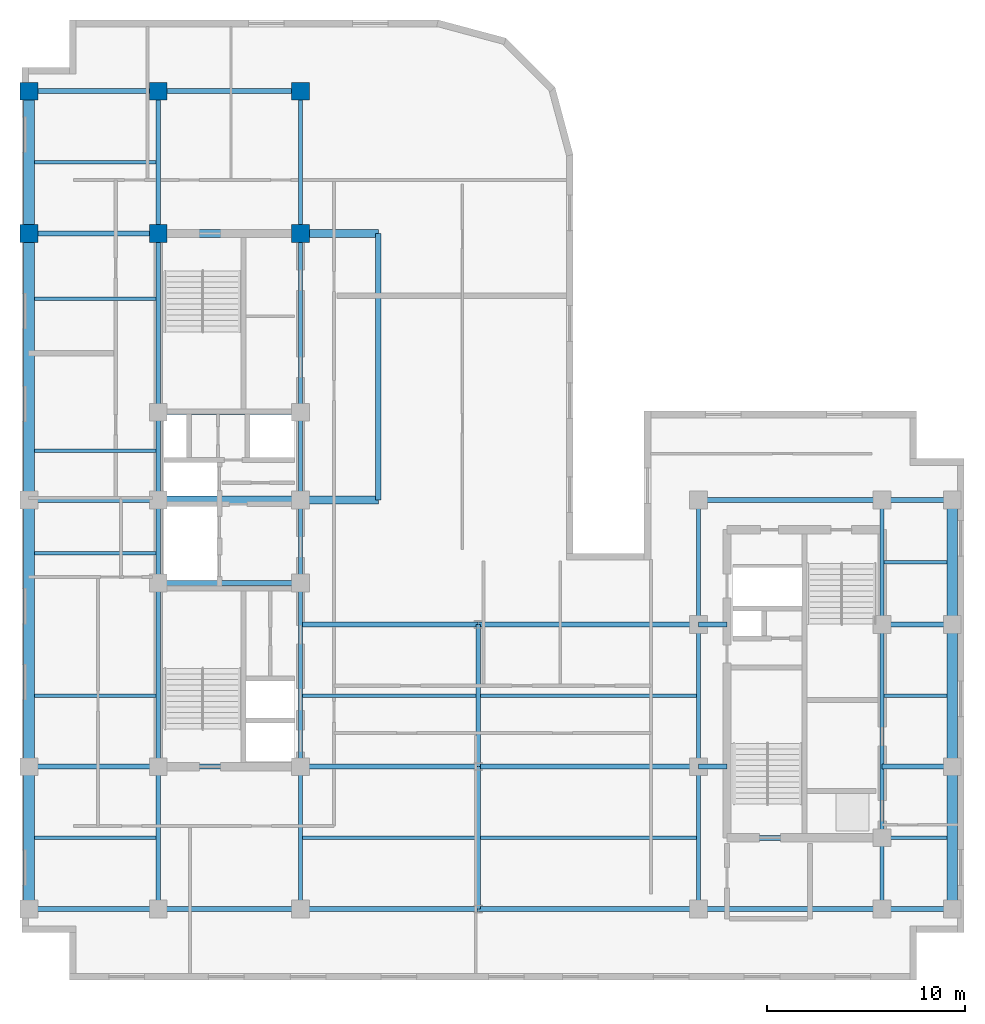
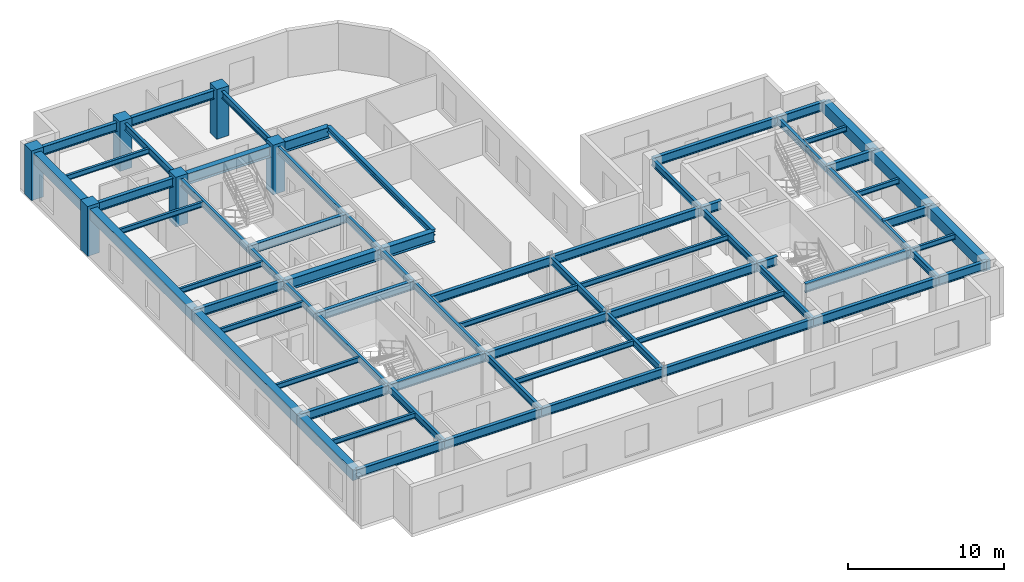
# One storey, part 2 of 11: 68 beams, 6 columns.
"""IFC4 building model written with IfcOpenShell, lengths in metres."""

import ifcopenshell
import ifcopenshell.guid

model = None  # the IFC model being written
_history = None  # IfcOwnerHistory: only IFC2X3 demands one
_inside = {}  # id of a spatial element -> (the spatial element, [elements in it])
_under = {}  # id of a project, library or spatial element -> (it, [spatial elements below it])
_declared = {}  # id of a project -> (the project, [libraries it declares])
_typed = {}  # id of a type object -> (the type object, [elements of that type])
_made_of = {}  # id of a material, layer set ... -> (it, [elements and type objects made of it])


def new_model(schema):
    """Start an empty IFC model of exactly this schema.

    Asked for "IFC4X3", IfcOpenShell would pick the latest addendum, in which some entities
    have other attributes; the version numbers below select the first issue.
    IFC2X3 requires an IfcOwnerHistory on every rooted entity: one is made here for all.
    """
    global model, _history
    if schema == "IFC4X3":
        model = ifcopenshell.file(schema_version=(4, 3, 0, 0))
    else:
        model = ifcopenshell.file(schema=schema)
    _inside.clear()
    _under.clear()
    _declared.clear()
    _typed.clear()
    _made_of.clear()
    _history = None
    if model.schema == "IFC2X3":
        org = make("IfcOrganization", Name="unknown")
        user = make(
            "IfcPersonAndOrganization",
            ThePerson=make("IfcPerson", FamilyName="unknown"),
            TheOrganization=org,
        )
        app = make(
            "IfcApplication",
            ApplicationDeveloper=org,
            Version="unknown",
            ApplicationFullName="unknown",
            ApplicationIdentifier="unknown",
        )
        _history = make(
            "IfcOwnerHistory",
            OwningUser=user,
            OwningApplication=app,
            ChangeAction="ADDED",
            CreationDate=0,
        )
    return model


def make(cls, **values):
    """One entity of the class cls with the attributes given. An attribute that is None is left unset."""
    return model.create_entity(
        cls, **{name: value for name, value in values.items() if value is not None}
    )


def entity(cls, *values):
    """Any entity or typed value of the class cls, its attributes in the order of the schema. None: left unset."""
    e = model.create_entity(cls)
    for i, value in enumerate(values):
        if value is not None:
            e[i] = value
    return e


def rooted(cls, **values):
    """An entity with a GlobalId (a new one), such as an element, a storey or a relation."""
    return make(cls, GlobalId=ifcopenshell.guid.new(), OwnerHistory=_history, **values)


def si_unit(unit_type, name, prefix=None):
    """IfcSIUnit, for example si_unit("LENGTHUNIT", "METRE", prefix="MILLI")."""
    return make("IfcSIUnit", UnitType=unit_type, Prefix=prefix, Name=name)


def converted_unit(unit_type, name, factor, base, dimensions=None, offset=None):
    """IfcConversionBasedUnit, such as the inch: factor (a typed value) times the base unit."""
    return make(
        "IfcConversionBasedUnit"
        if offset is None
        else "IfcConversionBasedUnitWithOffset",
        ConversionOffset=offset,
        Dimensions=None
        if dimensions is None
        else entity("IfcDimensionalExponents", *dimensions),
        UnitType=unit_type,
        Name=name,
        ConversionFactor=make(
            "IfcMeasureWithUnit", ValueComponent=factor, UnitComponent=base
        ),
    )


def assignment(units):
    """IfcUnitAssignment: the units of a project."""
    return None if units is None else make("IfcUnitAssignment", Units=units)


def point(xyz):
    """IfcCartesianPoint."""
    return None if xyz is None else make("IfcCartesianPoint", Coordinates=xyz)


def direction(xyz):
    """IfcDirection."""
    return None if xyz is None else make("IfcDirection", DirectionRatios=xyz)


def frame(location, z_axis=None, x_axis=None):
    """IfcAxis2Placement3D, a coordinate frame: its origin and axes. An axis left out is left unset."""
    return make(
        "IfcAxis2Placement3D",
        Location=point(location),
        Axis=direction(z_axis),
        RefDirection=direction(x_axis),
    )


def frame_2d(location, x_axis=None):
    """IfcAxis2Placement2D, a coordinate frame in the plane: its origin and x axis."""
    return make(
        "IfcAxis2Placement2D", Location=point(location), RefDirection=direction(x_axis)
    )


def origin_with_axes():
    """The frame at (0, 0, 0) with the z axis (0, 0, 1) and the x axis (1, 0, 0) written out."""
    return frame((0.0, 0.0, 0.0), z_axis=(0.0, 0.0, 1.0), x_axis=(1.0, 0.0, 0.0))


def origin_2d_with_axis():
    """The frame at (0, 0) in the plane with the x axis (1, 0) written out."""
    return frame_2d((0.0, 0.0), x_axis=(1.0, 0.0))


def place(relative_to, where):
    """IfcLocalPlacement: puts the frame where relative to a parent placement (None: the world)."""
    return make(
        "IfcLocalPlacement", PlacementRelTo=relative_to, RelativePlacement=where
    )


def context(
    kind, dimensions, precision=None, world=None, true_north=None, identifier=None
):
    """IfcGeometricRepresentationContext, for example the 3D "Model" context."""
    return make(
        "IfcGeometricRepresentationContext",
        ContextIdentifier=identifier,
        ContextType=kind,
        CoordinateSpaceDimension=dimensions,
        Precision=precision,
        WorldCoordinateSystem=world,
        TrueNorth=true_north,
    )


def subcontext(parent, identifier, kind, view, scale=None):
    """IfcGeometricRepresentationSubContext, for example "Body" below "Model"."""
    return make(
        "IfcGeometricRepresentationSubContext",
        ContextIdentifier=identifier,
        ContextType=kind,
        ParentContext=parent,
        TargetScale=scale,
        TargetView=view,
    )


def project(units=None, contexts=None):
    """IfcProject with its units and contexts."""
    return rooted(
        "IfcProject",
        Name="project",
        RepresentationContexts=contexts,
        UnitsInContext=assignment(units),
    )


def spatial(cls, under=None, at=None, **own):
    """A site, building, storey or space (cls), placed at a placement, below another one or the project."""
    s = rooted(cls, ObjectPlacement=at, **own)
    if under is not None:
        _under.setdefault(under.id(), (under, []))[1].append(s)
    return s


def profile(cls, at=None, kind="AREA", **sizes):
    """A parametric profile (cls). Its sizes go by their IFC names, for example OverallWidth=200.0."""
    return make(cls, ProfileType=kind, Position=at, **sizes)


def rectangle(**sizes):
    """IfcRectangleProfileDef."""
    return profile("IfcRectangleProfileDef", **sizes)


def i_section(**sizes):
    """IfcIShapeProfileDef."""
    return profile("IfcIShapeProfileDef", **sizes)


def extrude(swept, where, along, depth):
    """IfcExtrudedAreaSolid: the profile swept, set in the frame where, extruded along a direction by depth."""
    return make(
        "IfcExtrudedAreaSolid",
        SweptArea=swept,
        Position=where,
        ExtrudedDirection=direction(along),
        Depth=depth,
    )


def shape(context_of_items, identifier, shape_type, items):
    """IfcShapeRepresentation: the items that make up one representation, for example the "Body"."""
    return make(
        "IfcShapeRepresentation",
        ContextOfItems=context_of_items,
        RepresentationIdentifier=identifier,
        RepresentationType=shape_type,
        Items=items,
    )


def material(Name=None, Category=None):
    """IfcMaterial."""
    return make("IfcMaterial", Name=Name, Category=Category)


def material_profile(
    of_material, cross_section, Name=None, Category=None, Priority=None
):
    """IfcMaterialProfile: a cross section and its material."""
    return make(
        "IfcMaterialProfile",
        Name=Name,
        Material=of_material,
        Profile=cross_section,
        Priority=Priority,
        Category=Category,
    )


def profile_set(profiles, Name=None, composite=None):
    """IfcMaterialProfileSet."""
    return make(
        "IfcMaterialProfileSet",
        Name=Name,
        MaterialProfiles=profiles,
        CompositeProfile=composite,
    )


def made_of(thing, what):
    """Note that an element or type object is made of a material, layer set ...; save() writes the relation."""
    if what is not None:
        _made_of.setdefault(what.id(), (what, []))[1].append(thing)
    return thing


def type_object(cls, material=None, **own):
    """A type object (cls), such as IfcWallType, which elements share."""
    return made_of(rooted(cls, **own), material)


def element(
    cls,
    number,
    at=None,
    inside=None,
    cuts=None,
    type_object=None,
    material=None,
    context=None,
    identifier="Body",
    shape_type=None,
    held_by="IfcProductDefinitionShape",
    body=None,
    shapes=None,
    **own,
):
    """One element of the class cls, such as IfcWall. Its Tag is "e" and its number.

    at: its placement. inside: the storey or other place that contains it. cuts: it is an
    opening in that element (IfcRelVoidsElement). A single representation is given by context,
    identifier, shape_type and body (its items); several are given by shapes. held_by: the class
    of the entity that holds the representations. save() writes the other relations.
    """
    e = rooted(cls, Tag="e%d" % number, ObjectPlacement=at, **own)
    if body is not None:
        shapes = [shape(context, identifier, shape_type, body)]
    if shapes is not None:
        e.Representation = make(held_by, Representations=shapes)
    if inside is not None:
        _inside.setdefault(inside.id(), (inside, []))[1].append(e)
    if cuts is not None:
        rooted(
            "IfcRelVoidsElement", RelatingBuildingElement=cuts, RelatedOpeningElement=e
        )
    if type_object is not None:
        _typed.setdefault(type_object.id(), (type_object, []))[1].append(e)
    return made_of(e, material)


def aggregate(whole, parts):
    """IfcRelAggregates: a whole, such as a stair, and the parts it consists of."""
    return rooted("IfcRelAggregates", RelatingObject=whole, RelatedObjects=parts)


def save(model, path):
    """Write the relations noted so far, then the file.

    IfcRelAggregates (storeys below a building ...), IfcRelContainedInSpatialStructure (elements
    in a storey), IfcRelDefinesByType, IfcRelAssociatesMaterial and IfcRelDeclares: one each for
    every whole, place, type object, material and project.
    """
    for whole, parts in _under.values():
        aggregate(whole, parts)
    for where, things in _inside.values():
        rooted(
            "IfcRelContainedInSpatialStructure",
            RelatedElements=things,
            RelatingStructure=where,
        )
    for kind, things in _typed.values():
        rooted("IfcRelDefinesByType", RelatedObjects=things, RelatingType=kind)
    for what, things in _made_of.values():
        rooted("IfcRelAssociatesMaterial", RelatedObjects=things, RelatingMaterial=what)
    for by, libraries in _declared.values():
        rooted("IfcRelDeclares", RelatingContext=by, RelatedDefinitions=libraries)
    model.write(path)


model = new_model("IFC4")

# Units and contexts
model_context = context("Model", 3, precision=1e-05, world=origin_with_axes(), true_north=direction((0.0, 1.0)))
body_context = subcontext(model_context, "Body", "Model", "MODEL_VIEW")
ifc_project = project(units=[si_unit("LENGTHUNIT", "METRE"), si_unit("AREAUNIT", "SQUARE_METRE"), si_unit("VOLUMEUNIT", "CUBIC_METRE"), converted_unit("PLANEANGLEUNIT", "DEGREE", entity("IfcPlaneAngleMeasure", 0.017453292519943295), si_unit("PLANEANGLEUNIT", "RADIAN"), dimensions=[0, 0, 0, 0, 0, 0, 0]), si_unit("MASSUNIT", "GRAM", prefix="KILO"), si_unit("THERMODYNAMICTEMPERATUREUNIT", "KELVIN")], contexts=[model_context])

# Site, building, storey
site_placement = place(None, origin_with_axes())
site = spatial("IfcSite", under=ifc_project, at=site_placement, CompositionType="ELEMENT")
building_placement = place(site_placement, origin_with_axes())
building = spatial("IfcBuilding", under=site, at=building_placement, Name="Varnlund Millrace Tower", CompositionType="ELEMENT")
storey_placement = place(building_placement, frame((0.0, 0.0, 224.7), z_axis=(0.0, 0.0, 1.0), x_axis=(1.0, 0.0, 0.0)))
storey = spatial("IfcBuildingStorey", under=building, at=storey_placement, Name="L55", CompositionType="ELEMENT", Elevation=224.7)

# Columns
ifc_material_1 = material(Name="Concrete C70/85", Category="concrete")
ifc_material_profile_1 = material_profile(ifc_material_1, rectangle(XDim=0.9, YDim=0.9, at=origin_2d_with_axis()), Name="Concrete C70/85")
ifc_profile_set_1 = profile_set([ifc_material_profile_1], Name="Concrete C70/85")
column_type = type_object("IfcColumnType", Name="Type-Col-RC900-C70", PredefinedType="COLUMN", material=ifc_profile_set_1)
for number, where, z_axis, x_axis, name in (
    (1, (11.4, 37.8, 0.0), (0.0, 0.0, 1.0), (1.0, 0.0, 0.0), "Type-Col-RC900-C70"),
    (2, (11.4, 45.0, 0.0), (0.0, 0.0, 1.0), (1.0, 0.0, 0.0), "Type-Col-RC900-C70"),
    (3, (18.6, 37.8, 0.0), (0.0, 0.0, 1.0), (1.0, 0.0, 0.0), "Type-Col-RC900-C70"),
    (4, (18.6, 45.0, 0.0), (0.0, 0.0, 1.0), (1.0, 0.0, 0.0), "Type-Col-RC900-C70"),
    (5, (4.85, 37.8, 0.0), (0.0, 0.0, 1.0), (1.0, 0.0, 0.0), "Type-Col-RC900-C70"),
    (6, (4.85, 45.0, 0.0), (0.0, 0.0, 1.0), (1.0, 0.0, 0.0), "Type-Col-RC900-C70"),
):
    element("IfcColumn", number, at=place(storey_placement, frame(where, z_axis=z_axis, x_axis=x_axis)), inside=storey, type_object=column_type, Name=name, PredefinedType="COLUMN", context=body_context, shape_type="SweptSolid", body=[
        extrude(rectangle(XDim=0.9, YDim=0.9, at=origin_2d_with_axis()), origin_with_axes(), (0.0, 0.0, 1.0), 3.9),
    ])

# Beams
ifc_material_2 = material(Name="Steel ASTM A992 Grade 50", Category="steel")
ifc_material_profile_2 = material_profile(ifc_material_2, i_section(OverallWidth=0.28, OverallDepth=0.463, WebThickness=0.0108, FlangeThickness=0.0173, FilletRadius=0.015, at=origin_2d_with_axis()), Name="Steel ASTM A992 Grade 50")
ifc_profile_set_2 = profile_set([ifc_material_profile_2], Name="Steel ASTM A992 Grade 50")
beam_type_1 = type_object("IfcBeamType", Name="Type-Beam-W18X76", PredefinedType="BEAM", material=ifc_profile_set_2)
beam_1_placement = place(storey_placement, frame((22.55, 24.3, 3.4285), z_axis=(0.0, 1.0, 0.0), x_axis=(-1.0, 0.0, 0.0)))
element("IfcBeam", 7, at=beam_1_placement, inside=storey, type_object=beam_type_1, Name="Type-Beam-W18X76", PredefinedType="BEAM", context=body_context, shape_type="SweptSolid", body=[
    extrude(i_section(OverallWidth=0.28, OverallDepth=0.463, WebThickness=0.0108, FlangeThickness=0.0173, FilletRadius=0.015, at=origin_2d_with_axis()), origin_with_axes(), (0.0, 0.0, 1.0), 13.5),
])
ifc_material_profile_3 = material_profile(ifc_material_2, i_section(OverallWidth=0.214, OverallDepth=0.549, WebThickness=0.0147, FlangeThickness=0.0236, FilletRadius=0.015, at=origin_2d_with_axis()), Name="Steel ASTM A992 Grade 50")
ifc_profile_set_3 = profile_set([ifc_material_profile_3], Name="Steel ASTM A992 Grade 50")
beam_type_2 = type_object("IfcBeamType", Name="Type-Beam-W21X93", PredefinedType="BEAM", material=ifc_profile_set_3)
beam_2_placement = place(storey_placement, frame((11.4, 3.6, 3.3855), z_axis=(0.0, 1.0, 0.0), x_axis=(-1.0, 0.0, 0.0)))
element("IfcBeam", 8, at=beam_2_placement, inside=storey, type_object=beam_type_2, Name="Type-Beam-W21X93", PredefinedType="BEAM", context=body_context, shape_type="SweptSolid", body=[
    extrude(i_section(OverallWidth=0.214, OverallDepth=0.549, WebThickness=0.0147, FlangeThickness=0.0236, FilletRadius=0.015, at=origin_2d_with_axis()), origin_with_axes(), (0.0, 0.0, 1.0), 7.2),
])
beam_3_placement = place(storey_placement, frame((11.4, 10.8, 3.3855), z_axis=(0.0, 1.0, 0.0), x_axis=(-1.0, 0.0, 0.0)))
element("IfcBeam", 9, at=beam_3_placement, inside=storey, type_object=beam_type_2, Name="Type-Beam-W21X93", PredefinedType="BEAM", context=body_context, shape_type="SweptSolid", body=[
    extrude(i_section(OverallWidth=0.214, OverallDepth=0.549, WebThickness=0.0147, FlangeThickness=0.0236, FilletRadius=0.015, at=origin_2d_with_axis()), origin_with_axes(), (0.0, 0.0, 1.0), 9.3),
])
beam_4_placement = place(storey_placement, frame((11.4, 20.1, 3.3855), z_axis=(0.0, 1.0, 0.0), x_axis=(-1.0, 0.0, 0.0)))
element("IfcBeam", 10, at=beam_4_placement, inside=storey, type_object=beam_type_2, Name="Type-Beam-W21X93", PredefinedType="BEAM", context=body_context, shape_type="SweptSolid", body=[
    extrude(i_section(OverallWidth=0.214, OverallDepth=0.549, WebThickness=0.0147, FlangeThickness=0.0236, FilletRadius=0.015, at=origin_2d_with_axis()), origin_with_axes(), (0.0, 0.0, 1.0), 4.2),
])
beam_5_placement = place(storey_placement, frame((11.4, 24.3, 3.3855), z_axis=(0.0, 1.0, 0.0), x_axis=(-1.0, 0.0, 0.0)))
element("IfcBeam", 11, at=beam_5_placement, inside=storey, type_object=beam_type_2, Name="Type-Beam-W21X93", PredefinedType="BEAM", context=body_context, shape_type="SweptSolid", body=[
    extrude(i_section(OverallWidth=0.214, OverallDepth=0.549, WebThickness=0.0147, FlangeThickness=0.0236, FilletRadius=0.015, at=origin_2d_with_axis()), origin_with_axes(), (0.0, 0.0, 1.0), 4.45),
])
beam_6_placement = place(storey_placement, frame((11.4, 28.75, 3.3855), z_axis=(0.0, 1.0, 0.0), x_axis=(-1.0, 0.0, 0.0)))
element("IfcBeam", 12, at=beam_6_placement, inside=storey, type_object=beam_type_2, Name="Type-Beam-W21X93", PredefinedType="BEAM", context=body_context, shape_type="SweptSolid", body=[
    extrude(i_section(OverallWidth=0.214, OverallDepth=0.549, WebThickness=0.0147, FlangeThickness=0.0236, FilletRadius=0.015, at=origin_2d_with_axis()), origin_with_axes(), (0.0, 0.0, 1.0), 9.05),
])
for number, where, z_axis, x_axis, name in (
    (13, (11.4, 37.8, 3.3855), (0.0, 1.0, 0.0), (-1.0, 0.0, 0.0), "Type-Beam-W21X93"),
    (14, (18.6, 3.6, 3.3855), (0.0, 1.0, 0.0), (-1.0, 0.0, 0.0), "Type-Beam-W21X93"),
):
    element("IfcBeam", number, at=place(storey_placement, frame(where, z_axis=z_axis, x_axis=x_axis)), inside=storey, type_object=beam_type_2, Name=name, PredefinedType="BEAM", context=body_context, shape_type="SweptSolid", body=[
        extrude(i_section(OverallWidth=0.214, OverallDepth=0.549, WebThickness=0.0147, FlangeThickness=0.0236, FilletRadius=0.015, at=origin_2d_with_axis()), origin_with_axes(), (0.0, 0.0, 1.0), 7.2),
    ])
beam_7_placement = place(storey_placement, frame((18.6, 10.8, 3.3855), z_axis=(0.0, 1.0, 0.0), x_axis=(-1.0, 0.0, 0.0)))
element("IfcBeam", 15, at=beam_7_placement, inside=storey, type_object=beam_type_2, Name="Type-Beam-W21X93", PredefinedType="BEAM", context=body_context, shape_type="SweptSolid", body=[
    extrude(i_section(OverallWidth=0.214, OverallDepth=0.549, WebThickness=0.0147, FlangeThickness=0.0236, FilletRadius=0.015, at=origin_2d_with_axis()), origin_with_axes(), (0.0, 0.0, 1.0), 9.3),
])
beam_8_placement = place(storey_placement, frame((18.6, 20.1, 3.3855), z_axis=(0.0, 1.0, 0.0), x_axis=(-1.0, 0.0, 0.0)))
element("IfcBeam", 16, at=beam_8_placement, inside=storey, type_object=beam_type_2, Name="Type-Beam-W21X93", PredefinedType="BEAM", context=body_context, shape_type="SweptSolid", body=[
    extrude(i_section(OverallWidth=0.214, OverallDepth=0.549, WebThickness=0.0147, FlangeThickness=0.0236, FilletRadius=0.015, at=origin_2d_with_axis()), origin_with_axes(), (0.0, 0.0, 1.0), 4.2),
])
beam_9_placement = place(storey_placement, frame((18.6, 24.3, 3.3855), z_axis=(0.0, 1.0, 0.0), x_axis=(-1.0, 0.0, 0.0)))
element("IfcBeam", 17, at=beam_9_placement, inside=storey, type_object=beam_type_2, Name="Type-Beam-W21X93", PredefinedType="BEAM", context=body_context, shape_type="SweptSolid", body=[
    extrude(i_section(OverallWidth=0.214, OverallDepth=0.549, WebThickness=0.0147, FlangeThickness=0.0236, FilletRadius=0.015, at=origin_2d_with_axis()), origin_with_axes(), (0.0, 0.0, 1.0), 4.45),
])
beam_10_placement = place(storey_placement, frame((18.6, 28.75, 3.3855), z_axis=(0.0, 1.0, 0.0), x_axis=(-1.0, 0.0, 0.0)))
element("IfcBeam", 18, at=beam_10_placement, inside=storey, type_object=beam_type_2, Name="Type-Beam-W21X93", PredefinedType="BEAM", context=body_context, shape_type="SweptSolid", body=[
    extrude(i_section(OverallWidth=0.214, OverallDepth=0.549, WebThickness=0.0147, FlangeThickness=0.0236, FilletRadius=0.015, at=origin_2d_with_axis()), origin_with_axes(), (0.0, 0.0, 1.0), 9.05),
])
for number, where, z_axis, x_axis, name in (
    (19, (18.6, 37.8, 3.3855), (0.0, 1.0, 0.0), (-1.0, 0.0, 0.0), "Type-Beam-W21X93"),
    (20, (27.6, 3.6, 3.3855), (0.0, 1.0, 0.0), (-1.0, 0.0, 0.0), "Type-Beam-W21X93"),
    (21, (27.6, 10.8, 3.3855), (0.0, 1.0, 0.0), (-1.0, 0.0, 0.0), "Type-Beam-W21X93"),
    (22, (38.75, 3.6, 3.3855), (0.0, 1.0, 0.0), (-1.0, 0.0, 0.0), "Type-Beam-W21X93"),
    (23, (38.75, 10.8, 3.3855), (0.0, 1.0, 0.0), (-1.0, 0.0, 0.0), "Type-Beam-W21X93"),
):
    element("IfcBeam", number, at=place(storey_placement, frame(where, z_axis=z_axis, x_axis=x_axis)), inside=storey, type_object=beam_type_2, Name=name, PredefinedType="BEAM", context=body_context, shape_type="SweptSolid", body=[
        extrude(i_section(OverallWidth=0.214, OverallDepth=0.549, WebThickness=0.0147, FlangeThickness=0.0236, FilletRadius=0.015, at=origin_2d_with_axis()), origin_with_axes(), (0.0, 0.0, 1.0), 7.2),
    ])
beam_11_placement = place(storey_placement, frame((38.75, 18.0, 3.3855), z_axis=(0.0, 1.0, 0.0), x_axis=(-1.0, 0.0, 0.0)))
element("IfcBeam", 24, at=beam_11_placement, inside=storey, type_object=beam_type_2, Name="Type-Beam-W21X93", PredefinedType="BEAM", context=body_context, shape_type="SweptSolid", body=[
    extrude(i_section(OverallWidth=0.214, OverallDepth=0.549, WebThickness=0.0147, FlangeThickness=0.0236, FilletRadius=0.015, at=origin_2d_with_axis()), origin_with_axes(), (0.0, 0.0, 1.0), 6.3),
])
beam_12_placement = place(storey_placement, frame((48.05, 3.6, 3.3855), z_axis=(0.0, 1.0, 0.0), x_axis=(-1.0, 0.0, 0.0)))
element("IfcBeam", 25, at=beam_12_placement, inside=storey, type_object=beam_type_2, Name="Type-Beam-W21X93", PredefinedType="BEAM", context=body_context, shape_type="SweptSolid", body=[
    extrude(i_section(OverallWidth=0.214, OverallDepth=0.549, WebThickness=0.0147, FlangeThickness=0.0236, FilletRadius=0.015, at=origin_2d_with_axis()), origin_with_axes(), (0.0, 0.0, 1.0), 3.6),
])
beam_13_placement = place(storey_placement, frame((48.05, 7.2, 3.3855), z_axis=(0.0, 1.0, 0.0), x_axis=(-1.0, 0.0, 0.0)))
element("IfcBeam", 26, at=beam_13_placement, inside=storey, type_object=beam_type_2, Name="Type-Beam-W21X93", PredefinedType="BEAM", context=body_context, shape_type="SweptSolid", body=[
    extrude(i_section(OverallWidth=0.214, OverallDepth=0.549, WebThickness=0.0147, FlangeThickness=0.0236, FilletRadius=0.015, at=origin_2d_with_axis()), origin_with_axes(), (0.0, 0.0, 1.0), 10.8),
])
beam_14_placement = place(storey_placement, frame((48.05, 18.0, 3.3855), z_axis=(0.0, 1.0, 0.0), x_axis=(-1.0, 0.0, 0.0)))
element("IfcBeam", 27, at=beam_14_placement, inside=storey, type_object=beam_type_2, Name="Type-Beam-W21X93", PredefinedType="BEAM", context=body_context, shape_type="SweptSolid", body=[
    extrude(i_section(OverallWidth=0.214, OverallDepth=0.549, WebThickness=0.0147, FlangeThickness=0.0236, FilletRadius=0.015, at=origin_2d_with_axis()), origin_with_axes(), (0.0, 0.0, 1.0), 6.3),
])
ifc_material_profile_4 = material_profile(ifc_material_2, i_section(OverallWidth=0.256, OverallDepth=0.693, WebThickness=0.0145, FlangeThickness=0.0236, FilletRadius=0.018, at=origin_2d_with_axis()), Name="Steel ASTM A992 Grade 50")
ifc_profile_set_4 = profile_set([ifc_material_profile_4], Name="Steel ASTM A992 Grade 50")
beam_type_3 = type_object("IfcBeamType", Name="Type-Girder-W27X114", PredefinedType="USERDEFINED", material=ifc_profile_set_4)
beam_15_placement = place(storey_placement, frame((4.85, 3.6, 3.3135), z_axis=(1.0, 0.0, 0.0), x_axis=(0.0, 1.0, 0.0)))
element("IfcBeam", 28, at=beam_15_placement, inside=storey, type_object=beam_type_3, Name="Type-Girder-W27X114", ObjectType="GIRDER", PredefinedType="USERDEFINED", context=body_context, shape_type="SweptSolid", body=[
    extrude(i_section(OverallWidth=0.256, OverallDepth=0.693, WebThickness=0.0145, FlangeThickness=0.0236, FilletRadius=0.018, at=origin_2d_with_axis()), origin_with_axes(), (0.0, 0.0, 1.0), 6.55),
])
beam_16_placement = place(storey_placement, frame((11.4, 3.6, 3.3135), z_axis=(1.0, 0.0, 0.0), x_axis=(0.0, 1.0, 0.0)))
element("IfcBeam", 29, at=beam_16_placement, inside=storey, type_object=beam_type_3, Name="Type-Girder-W27X114", ObjectType="GIRDER", PredefinedType="USERDEFINED", context=body_context, shape_type="SweptSolid", body=[
    extrude(i_section(OverallWidth=0.256, OverallDepth=0.693, WebThickness=0.0145, FlangeThickness=0.0236, FilletRadius=0.018, at=origin_2d_with_axis()), origin_with_axes(), (0.0, 0.0, 1.0), 7.2),
])
beam_17_placement = place(storey_placement, frame((18.6, 3.6, 3.3135), z_axis=(1.0, 0.0, 0.0), x_axis=(0.0, 1.0, 0.0)))
element("IfcBeam", 30, at=beam_17_placement, inside=storey, type_object=beam_type_3, Name="Type-Girder-W27X114", ObjectType="GIRDER", PredefinedType="USERDEFINED", context=body_context, shape_type="SweptSolid", body=[
    extrude(i_section(OverallWidth=0.256, OverallDepth=0.693, WebThickness=0.0145, FlangeThickness=0.0236, FilletRadius=0.018, at=origin_2d_with_axis()), origin_with_axes(), (0.0, 0.0, 1.0), 9.0),
])
beam_18_placement = place(storey_placement, frame((27.6, 3.6, 3.3135), z_axis=(1.0, 0.0, 0.0), x_axis=(0.0, 1.0, 0.0)))
element("IfcBeam", 31, at=beam_18_placement, inside=storey, type_object=beam_type_3, Name="Type-Girder-W27X114", ObjectType="GIRDER", PredefinedType="USERDEFINED", context=body_context, shape_type="SweptSolid", body=[
    extrude(i_section(OverallWidth=0.256, OverallDepth=0.693, WebThickness=0.0145, FlangeThickness=0.0236, FilletRadius=0.018, at=origin_2d_with_axis()), origin_with_axes(), (0.0, 0.0, 1.0), 11.15),
])
beam_19_placement = place(storey_placement, frame((38.75, 3.6, 3.3135), z_axis=(1.0, 0.0, 0.0), x_axis=(0.0, 1.0, 0.0)))
element("IfcBeam", 32, at=beam_19_placement, inside=storey, type_object=beam_type_3, Name="Type-Girder-W27X114", ObjectType="GIRDER", PredefinedType="USERDEFINED", context=body_context, shape_type="SweptSolid", body=[
    extrude(i_section(OverallWidth=0.256, OverallDepth=0.693, WebThickness=0.0145, FlangeThickness=0.0236, FilletRadius=0.018, at=origin_2d_with_axis()), origin_with_axes(), (0.0, 0.0, 1.0), 9.3),
])
beam_20_placement = place(storey_placement, frame((48.05, 3.6, 3.3135), z_axis=(1.0, 0.0, 0.0), x_axis=(0.0, 1.0, 0.0)))
element("IfcBeam", 33, at=beam_20_placement, inside=storey, type_object=beam_type_3, Name="Type-Girder-W27X114", ObjectType="GIRDER", PredefinedType="USERDEFINED", context=body_context, shape_type="SweptSolid", body=[
    extrude(i_section(OverallWidth=0.256, OverallDepth=0.693, WebThickness=0.0145, FlangeThickness=0.0236, FilletRadius=0.018, at=origin_2d_with_axis()), origin_with_axes(), (0.0, 0.0, 1.0), 3.55),
])
beam_21_placement = place(storey_placement, frame((40.2, 7.2, 3.3135), z_axis=(1.0, 0.0, 0.0), x_axis=(0.0, 1.0, 0.0)))
element("IfcBeam", 34, at=beam_21_placement, inside=storey, type_object=beam_type_3, Name="Type-Girder-W27X114", ObjectType="GIRDER", PredefinedType="USERDEFINED", context=body_context, shape_type="SweptSolid", body=[
    extrude(i_section(OverallWidth=0.256, OverallDepth=0.693, WebThickness=0.0145, FlangeThickness=0.0236, FilletRadius=0.018, at=origin_2d_with_axis()), origin_with_axes(), (0.0, 0.0, 1.0), 7.85),
])
beam_22_placement = place(storey_placement, frame((4.85, 10.8, 3.3135), z_axis=(1.0, 0.0, 0.0), x_axis=(0.0, 1.0, 0.0)))
element("IfcBeam", 35, at=beam_22_placement, inside=storey, type_object=beam_type_3, Name="Type-Girder-W27X114", ObjectType="GIRDER", PredefinedType="USERDEFINED", context=body_context, shape_type="SweptSolid", body=[
    extrude(i_section(OverallWidth=0.256, OverallDepth=0.693, WebThickness=0.0145, FlangeThickness=0.0236, FilletRadius=0.018, at=origin_2d_with_axis()), origin_with_axes(), (0.0, 0.0, 1.0), 6.55),
])
beam_23_placement = place(storey_placement, frame((11.4, 10.8, 3.3135), z_axis=(1.0, 0.0, 0.0), x_axis=(0.0, 1.0, 0.0)))
element("IfcBeam", 36, at=beam_23_placement, inside=storey, type_object=beam_type_3, Name="Type-Girder-W27X114", ObjectType="GIRDER", PredefinedType="USERDEFINED", context=body_context, shape_type="SweptSolid", body=[
    extrude(i_section(OverallWidth=0.256, OverallDepth=0.693, WebThickness=0.0145, FlangeThickness=0.0236, FilletRadius=0.018, at=origin_2d_with_axis()), origin_with_axes(), (0.0, 0.0, 1.0), 7.2),
])
beam_24_placement = place(storey_placement, frame((18.6, 10.8, 3.3135), z_axis=(1.0, 0.0, 0.0), x_axis=(0.0, 1.0, 0.0)))
element("IfcBeam", 37, at=beam_24_placement, inside=storey, type_object=beam_type_3, Name="Type-Girder-W27X114", ObjectType="GIRDER", PredefinedType="USERDEFINED", context=body_context, shape_type="SweptSolid", body=[
    extrude(i_section(OverallWidth=0.256, OverallDepth=0.693, WebThickness=0.0145, FlangeThickness=0.0236, FilletRadius=0.018, at=origin_2d_with_axis()), origin_with_axes(), (0.0, 0.0, 1.0), 9.0),
])
beam_25_placement = place(storey_placement, frame((27.6, 10.8, 3.3135), z_axis=(1.0, 0.0, 0.0), x_axis=(0.0, 1.0, 0.0)))
element("IfcBeam", 38, at=beam_25_placement, inside=storey, type_object=beam_type_3, Name="Type-Girder-W27X114", ObjectType="GIRDER", PredefinedType="USERDEFINED", context=body_context, shape_type="SweptSolid", body=[
    extrude(i_section(OverallWidth=0.256, OverallDepth=0.693, WebThickness=0.0145, FlangeThickness=0.0236, FilletRadius=0.018, at=origin_2d_with_axis()), origin_with_axes(), (0.0, 0.0, 1.0), 11.15),
])
beam_26_placement = place(storey_placement, frame((38.75, 10.8, 3.3135), z_axis=(1.0, 0.0, 0.0), x_axis=(0.0, 1.0, 0.0)))
element("IfcBeam", 39, at=beam_26_placement, inside=storey, type_object=beam_type_3, Name="Type-Girder-W27X114", ObjectType="GIRDER", PredefinedType="USERDEFINED", context=body_context, shape_type="SweptSolid", body=[
    extrude(i_section(OverallWidth=0.256, OverallDepth=0.693, WebThickness=0.0145, FlangeThickness=0.0236, FilletRadius=0.018, at=origin_2d_with_axis()), origin_with_axes(), (0.0, 0.0, 1.0), 1.45),
])
beam_27_placement = place(storey_placement, frame((48.05, 10.8, 3.3135), z_axis=(1.0, 0.0, 0.0), x_axis=(0.0, 1.0, 0.0)))
element("IfcBeam", 40, at=beam_27_placement, inside=storey, type_object=beam_type_3, Name="Type-Girder-W27X114", ObjectType="GIRDER", PredefinedType="USERDEFINED", context=body_context, shape_type="SweptSolid", body=[
    extrude(i_section(OverallWidth=0.256, OverallDepth=0.693, WebThickness=0.0145, FlangeThickness=0.0236, FilletRadius=0.018, at=origin_2d_with_axis()), origin_with_axes(), (0.0, 0.0, 1.0), 3.55),
])
beam_28_placement = place(storey_placement, frame((18.6, 18.0, 3.3135), z_axis=(1.0, 0.0, 0.0), x_axis=(0.0, 1.0, 0.0)))
element("IfcBeam", 41, at=beam_28_placement, inside=storey, type_object=beam_type_3, Name="Type-Girder-W27X114", ObjectType="GIRDER", PredefinedType="USERDEFINED", context=body_context, shape_type="SweptSolid", body=[
    extrude(i_section(OverallWidth=0.256, OverallDepth=0.693, WebThickness=0.0145, FlangeThickness=0.0236, FilletRadius=0.018, at=origin_2d_with_axis()), origin_with_axes(), (0.0, 0.0, 1.0), 9.0),
])
beam_29_placement = place(storey_placement, frame((27.6, 18.0, 3.3135), z_axis=(1.0, 0.0, 0.0), x_axis=(0.0, 1.0, 0.0)))
element("IfcBeam", 42, at=beam_29_placement, inside=storey, type_object=beam_type_3, Name="Type-Girder-W27X114", ObjectType="GIRDER", PredefinedType="USERDEFINED", context=body_context, shape_type="SweptSolid", body=[
    extrude(i_section(OverallWidth=0.256, OverallDepth=0.693, WebThickness=0.0145, FlangeThickness=0.0236, FilletRadius=0.018, at=origin_2d_with_axis()), origin_with_axes(), (0.0, 0.0, 1.0), 11.15),
])
beam_30_placement = place(storey_placement, frame((38.75, 18.0, 3.3135), z_axis=(1.0, 0.0, 0.0), x_axis=(0.0, 1.0, 0.0)))
element("IfcBeam", 43, at=beam_30_placement, inside=storey, type_object=beam_type_3, Name="Type-Girder-W27X114", ObjectType="GIRDER", PredefinedType="USERDEFINED", context=body_context, shape_type="SweptSolid", body=[
    extrude(i_section(OverallWidth=0.256, OverallDepth=0.693, WebThickness=0.0145, FlangeThickness=0.0236, FilletRadius=0.018, at=origin_2d_with_axis()), origin_with_axes(), (0.0, 0.0, 1.0), 1.45),
])
beam_31_placement = place(storey_placement, frame((48.05, 18.0, 3.3135), z_axis=(1.0, 0.0, 0.0), x_axis=(0.0, 1.0, 0.0)))
element("IfcBeam", 44, at=beam_31_placement, inside=storey, type_object=beam_type_3, Name="Type-Girder-W27X114", ObjectType="GIRDER", PredefinedType="USERDEFINED", context=body_context, shape_type="SweptSolid", body=[
    extrude(i_section(OverallWidth=0.256, OverallDepth=0.693, WebThickness=0.0145, FlangeThickness=0.0236, FilletRadius=0.018, at=origin_2d_with_axis()), origin_with_axes(), (0.0, 0.0, 1.0), 3.55),
])
beam_32_placement = place(storey_placement, frame((11.4, 20.1, 3.3135), z_axis=(1.0, 0.0, 0.0), x_axis=(0.0, 1.0, 0.0)))
element("IfcBeam", 45, at=beam_32_placement, inside=storey, type_object=beam_type_3, Name="Type-Girder-W27X114", ObjectType="GIRDER", PredefinedType="USERDEFINED", context=body_context, shape_type="SweptSolid", body=[
    extrude(i_section(OverallWidth=0.256, OverallDepth=0.693, WebThickness=0.0145, FlangeThickness=0.0236, FilletRadius=0.018, at=origin_2d_with_axis()), origin_with_axes(), (0.0, 0.0, 1.0), 7.2),
])
beam_33_placement = place(storey_placement, frame((4.85, 24.3, 3.3135), z_axis=(1.0, 0.0, 0.0), x_axis=(0.0, 1.0, 0.0)))
element("IfcBeam", 46, at=beam_33_placement, inside=storey, type_object=beam_type_3, Name="Type-Girder-W27X114", ObjectType="GIRDER", PredefinedType="USERDEFINED", context=body_context, shape_type="SweptSolid", body=[
    extrude(i_section(OverallWidth=0.256, OverallDepth=0.693, WebThickness=0.0145, FlangeThickness=0.0236, FilletRadius=0.018, at=origin_2d_with_axis()), origin_with_axes(), (0.0, 0.0, 1.0), 6.55),
])
beam_34_placement = place(storey_placement, frame((38.75, 24.3, 3.3135), z_axis=(1.0, 0.0, 0.0), x_axis=(0.0, 1.0, 0.0)))
element("IfcBeam", 47, at=beam_34_placement, inside=storey, type_object=beam_type_3, Name="Type-Girder-W27X114", ObjectType="GIRDER", PredefinedType="USERDEFINED", context=body_context, shape_type="SweptSolid", body=[
    extrude(i_section(OverallWidth=0.256, OverallDepth=0.693, WebThickness=0.0145, FlangeThickness=0.0236, FilletRadius=0.018, at=origin_2d_with_axis()), origin_with_axes(), (0.0, 0.0, 1.0), 9.3),
])
beam_35_placement = place(storey_placement, frame((48.05, 24.3, 3.3135), z_axis=(1.0, 0.0, 0.0), x_axis=(0.0, 1.0, 0.0)))
element("IfcBeam", 48, at=beam_35_placement, inside=storey, type_object=beam_type_3, Name="Type-Girder-W27X114", ObjectType="GIRDER", PredefinedType="USERDEFINED", context=body_context, shape_type="SweptSolid", body=[
    extrude(i_section(OverallWidth=0.256, OverallDepth=0.693, WebThickness=0.0145, FlangeThickness=0.0236, FilletRadius=0.018, at=origin_2d_with_axis()), origin_with_axes(), (0.0, 0.0, 1.0), 3.55),
])
beam_36_placement = place(storey_placement, frame((11.4, 28.75, 3.3135), z_axis=(1.0, 0.0, 0.0), x_axis=(0.0, 1.0, 0.0)))
element("IfcBeam", 49, at=beam_36_placement, inside=storey, type_object=beam_type_3, Name="Type-Girder-W27X114", ObjectType="GIRDER", PredefinedType="USERDEFINED", context=body_context, shape_type="SweptSolid", body=[
    extrude(i_section(OverallWidth=0.256, OverallDepth=0.693, WebThickness=0.0145, FlangeThickness=0.0236, FilletRadius=0.018, at=origin_2d_with_axis()), origin_with_axes(), (0.0, 0.0, 1.0), 7.2),
])
for number, where, z_axis, x_axis, name in (
    (50, (4.85, 37.8, 3.3135), (1.0, 0.0, 0.0), (0.0, 1.0, 0.0), "Type-Girder-W27X114"),
    (51, (4.85, 45.0, 3.3135), (1.0, 0.0, 0.0), (0.0, 1.0, 0.0), "Type-Girder-W27X114"),
):
    element("IfcBeam", number, at=place(storey_placement, frame(where, z_axis=z_axis, x_axis=x_axis)), inside=storey, type_object=beam_type_3, Name=name, ObjectType="GIRDER", PredefinedType="USERDEFINED", context=body_context, shape_type="SweptSolid", body=[
        extrude(i_section(OverallWidth=0.256, OverallDepth=0.693, WebThickness=0.0145, FlangeThickness=0.0236, FilletRadius=0.018, at=origin_2d_with_axis()), origin_with_axes(), (0.0, 0.0, 1.0), 6.55),
    ])
beam_37_placement = place(storey_placement, frame((11.4, 45.0, 3.3135), z_axis=(1.0, 0.0, 0.0), x_axis=(0.0, 1.0, 0.0)))
element("IfcBeam", 52, at=beam_37_placement, inside=storey, type_object=beam_type_3, Name="Type-Girder-W27X114", ObjectType="GIRDER", PredefinedType="USERDEFINED", context=body_context, shape_type="SweptSolid", body=[
    extrude(i_section(OverallWidth=0.256, OverallDepth=0.693, WebThickness=0.0145, FlangeThickness=0.0236, FilletRadius=0.018, at=origin_2d_with_axis()), origin_with_axes(), (0.0, 0.0, 1.0), 7.2),
])
ifc_material_profile_5 = material_profile(ifc_material_2, i_section(OverallWidth=0.399, OverallDepth=0.855, WebThickness=0.0182, FlangeThickness=0.0292, FilletRadius=0.022, at=origin_2d_with_axis()), Name="Steel ASTM A992 Grade 50")
ifc_profile_set_5 = profile_set([ifc_material_profile_5], Name="Steel ASTM A992 Grade 50")
beam_type_4 = type_object("IfcBeamType", Name="Type-Girder-W33X201", PredefinedType="USERDEFINED", material=ifc_profile_set_5)
for number, where, z_axis, x_axis, name in (
    (53, (11.4, 24.3, 3.2325), (1.0, 0.0, 0.0), (0.0, 1.0, 0.0), "Type-Girder-W33X201"),
    (54, (11.4, 37.8, 3.2325), (1.0, 0.0, 0.0), (0.0, 1.0, 0.0), "Type-Girder-W33X201"),
):
    element("IfcBeam", number, at=place(storey_placement, frame(where, z_axis=z_axis, x_axis=x_axis)), inside=storey, type_object=beam_type_4, Name=name, ObjectType="GIRDER", PredefinedType="USERDEFINED", context=body_context, shape_type="SweptSolid", body=[
        extrude(i_section(OverallWidth=0.399, OverallDepth=0.855, WebThickness=0.0182, FlangeThickness=0.0292, FilletRadius=0.022, at=origin_2d_with_axis()), origin_with_axes(), (0.0, 0.0, 1.0), 11.15),
    ])
ifc_material_profile_6 = material_profile(ifc_material_2, i_section(OverallWidth=0.178, OverallDepth=0.403, WebThickness=0.0075, FlangeThickness=0.0109, FilletRadius=0.011, at=origin_2d_with_axis()), Name="Steel ASTM A992 Grade 50")
ifc_profile_set_6 = profile_set([ifc_material_profile_6], Name="Steel ASTM A992 Grade 50")
beam_type_5 = type_object("IfcBeamType", Name="Type-Joist-W16X36", PredefinedType="JOIST", material=ifc_profile_set_6)
for number, where, z_axis, x_axis, name in (
    (55, (5.125, 7.2, 3.4585), (1.0, 0.0, 0.0), (0.0, 1.0, 0.0), "Type-Joist-W16X36"),
    (56, (5.125, 14.4, 3.4585), (1.0, 0.0, 0.0), (0.0, 1.0, 0.0), "Type-Joist-W16X36"),
    (57, (5.125, 21.6, 3.4585), (1.0, 0.0, 0.0), (0.0, 1.0, 0.0), "Type-Joist-W16X36"),
    (58, (5.125, 26.8, 3.4585), (1.0, 0.0, 0.0), (0.0, 1.0, 0.0), "Type-Joist-W16X36"),
    (59, (5.125, 34.5, 3.4585), (1.0, 0.0, 0.0), (0.0, 1.0, 0.0), "Type-Joist-W16X36"),
    (60, (5.125, 41.4, 3.4585), (1.0, 0.0, 0.0), (0.0, 1.0, 0.0), "Type-Joist-W16X36"),
):
    element("IfcBeam", number, at=place(storey_placement, frame(where, z_axis=z_axis, x_axis=x_axis)), inside=storey, type_object=beam_type_5, Name=name, PredefinedType="JOIST", context=body_context, shape_type="SweptSolid", body=[
        extrude(i_section(OverallWidth=0.178, OverallDepth=0.403, WebThickness=0.0075, FlangeThickness=0.0109, FilletRadius=0.011, at=origin_2d_with_axis()), origin_with_axes(), (0.0, 0.0, 1.0), 6.168),
    ])
for number, where, z_axis, x_axis, name in (
    (61, (48.157, 7.2, 3.4585), (1.0, 0.0, 0.0), (0.0, 1.0, 0.0), "Type-Joist-W16X36"),
    (62, (48.157, 14.4, 3.4585), (1.0, 0.0, 0.0), (0.0, 1.0, 0.0), "Type-Joist-W16X36"),
    (63, (48.157, 21.15, 3.4585), (1.0, 0.0, 0.0), (0.0, 1.0, 0.0), "Type-Joist-W16X36"),
):
    element("IfcBeam", number, at=place(storey_placement, frame(where, z_axis=z_axis, x_axis=x_axis)), inside=storey, type_object=beam_type_5, Name=name, PredefinedType="JOIST", context=body_context, shape_type="SweptSolid", body=[
        extrude(i_section(OverallWidth=0.178, OverallDepth=0.403, WebThickness=0.0075, FlangeThickness=0.0109, FilletRadius=0.011, at=origin_2d_with_axis()), origin_with_axes(), (0.0, 0.0, 1.0), 3.168),
    ])
for number, where, z_axis, x_axis, name in (
    (64, (18.707, 7.2, 3.4585), (1.0, 0.0, 0.0), (0.0, 1.0, 0.0), "Type-Joist-W16X36"),
    (65, (18.707, 14.4, 3.4585), (1.0, 0.0, 0.0), (0.0, 1.0, 0.0), "Type-Joist-W16X36"),
):
    element("IfcBeam", number, at=place(storey_placement, frame(where, z_axis=z_axis, x_axis=x_axis)), inside=storey, type_object=beam_type_5, Name=name, PredefinedType="JOIST", context=body_context, shape_type="SweptSolid", body=[
        extrude(i_section(OverallWidth=0.178, OverallDepth=0.403, WebThickness=0.0075, FlangeThickness=0.0109, FilletRadius=0.011, at=origin_2d_with_axis()), origin_with_axes(), (0.0, 0.0, 1.0), 8.786),
    ])
for number, where, z_axis, x_axis, name in (
    (66, (27.707, 7.2, 3.4585), (1.0, 0.0, 0.0), (0.0, 1.0, 0.0), "Type-Joist-W16X36"),
    (67, (27.707, 14.4, 3.4585), (1.0, 0.0, 0.0), (0.0, 1.0, 0.0), "Type-Joist-W16X36"),
):
    element("IfcBeam", number, at=place(storey_placement, frame(where, z_axis=z_axis, x_axis=x_axis)), inside=storey, type_object=beam_type_5, Name=name, PredefinedType="JOIST", context=body_context, shape_type="SweptSolid", body=[
        extrude(i_section(OverallWidth=0.178, OverallDepth=0.403, WebThickness=0.0075, FlangeThickness=0.0109, FilletRadius=0.011, at=origin_2d_with_axis()), origin_with_axes(), (0.0, 0.0, 1.0), 10.936),
    ])
ifc_material_3 = material(Name="Concrete C60/75", Category="concrete")
ifc_material_profile_7 = material_profile(ifc_material_3, rectangle(XDim=0.55, YDim=0.85, at=origin_2d_with_axis()), Name="Concrete C60/75")
ifc_profile_set_7 = profile_set([ifc_material_profile_7], Name="Concrete C60/75")
beam_type_6 = type_object("IfcBeamType", Name="Type-Spandrel-RC550X850", PredefinedType="SPANDREL", material=ifc_profile_set_7)
beam_38_placement = place(storey_placement, frame((4.85, 3.6, 3.235), z_axis=(0.0, 1.0, 0.0), x_axis=(-1.0, 0.0, 0.0)))
element("IfcBeam", 68, at=beam_38_placement, inside=storey, type_object=beam_type_6, Name="Type-Spandrel-RC550X850", PredefinedType="SPANDREL", context=body_context, shape_type="SweptSolid", body=[
    extrude(rectangle(XDim=0.55, YDim=0.85, at=origin_2d_with_axis()), origin_with_axes(), (0.0, 0.0, 1.0), 7.2),
])
for number, where, z_axis, x_axis, name in (
    (69, (4.85, 10.8, 3.235), (0.0, 1.0, 0.0), (-1.0, 0.0, 0.0), "Type-Spandrel-RC550X850"),
    (70, (4.85, 24.3, 3.235), (0.0, 1.0, 0.0), (-1.0, 0.0, 0.0), "Type-Spandrel-RC550X850"),
):
    element("IfcBeam", number, at=place(storey_placement, frame(where, z_axis=z_axis, x_axis=x_axis)), inside=storey, type_object=beam_type_6, Name=name, PredefinedType="SPANDREL", context=body_context, shape_type="SweptSolid", body=[
        extrude(rectangle(XDim=0.55, YDim=0.85, at=origin_2d_with_axis()), origin_with_axes(), (0.0, 0.0, 1.0), 13.5),
    ])
for number, where, z_axis, x_axis, name in (
    (71, (4.85, 37.8, 3.235), (0.0, 1.0, 0.0), (-1.0, 0.0, 0.0), "Type-Spandrel-RC550X850"),
    (72, (51.6, 3.6, 3.235), (0.0, 1.0, 0.0), (-1.0, 0.0, 0.0), "Type-Spandrel-RC550X850"),
    (73, (51.6, 10.8, 3.235), (0.0, 1.0, 0.0), (-1.0, 0.0, 0.0), "Type-Spandrel-RC550X850"),
):
    element("IfcBeam", number, at=place(storey_placement, frame(where, z_axis=z_axis, x_axis=x_axis)), inside=storey, type_object=beam_type_6, Name=name, PredefinedType="SPANDREL", context=body_context, shape_type="SweptSolid", body=[
        extrude(rectangle(XDim=0.55, YDim=0.85, at=origin_2d_with_axis()), origin_with_axes(), (0.0, 0.0, 1.0), 7.2),
    ])
beam_39_placement = place(storey_placement, frame((51.6, 18.0, 3.235), z_axis=(0.0, 1.0, 0.0), x_axis=(-1.0, 0.0, 0.0)))
element("IfcBeam", 74, at=beam_39_placement, inside=storey, type_object=beam_type_6, Name="Type-Spandrel-RC550X850", PredefinedType="SPANDREL", context=body_context, shape_type="SweptSolid", body=[
    extrude(rectangle(XDim=0.55, YDim=0.85, at=origin_2d_with_axis()), origin_with_axes(), (0.0, 0.0, 1.0), 6.3),
])

save(model, "model.ifc")
